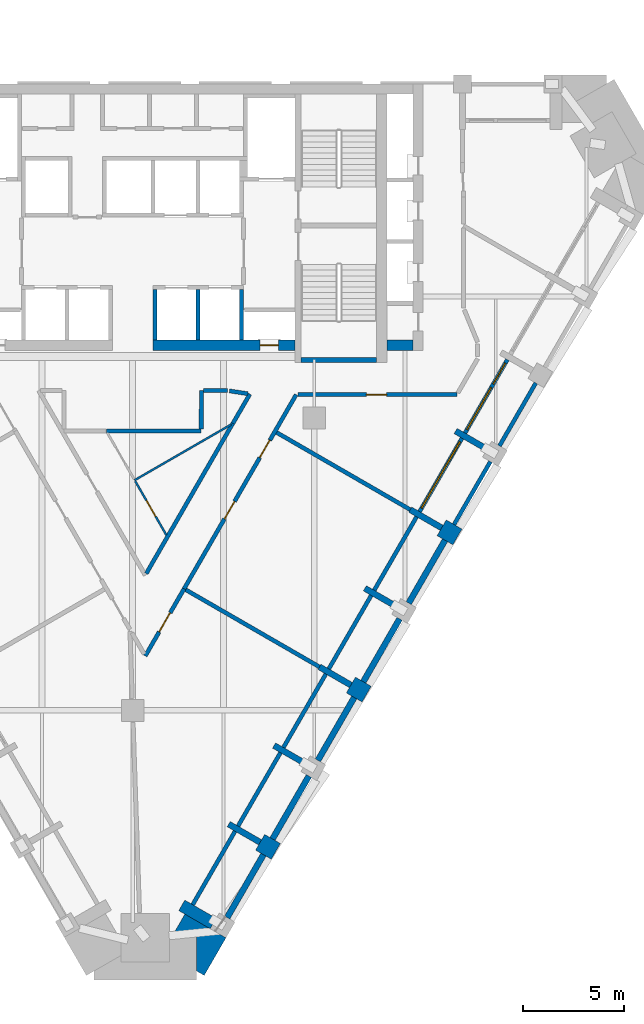
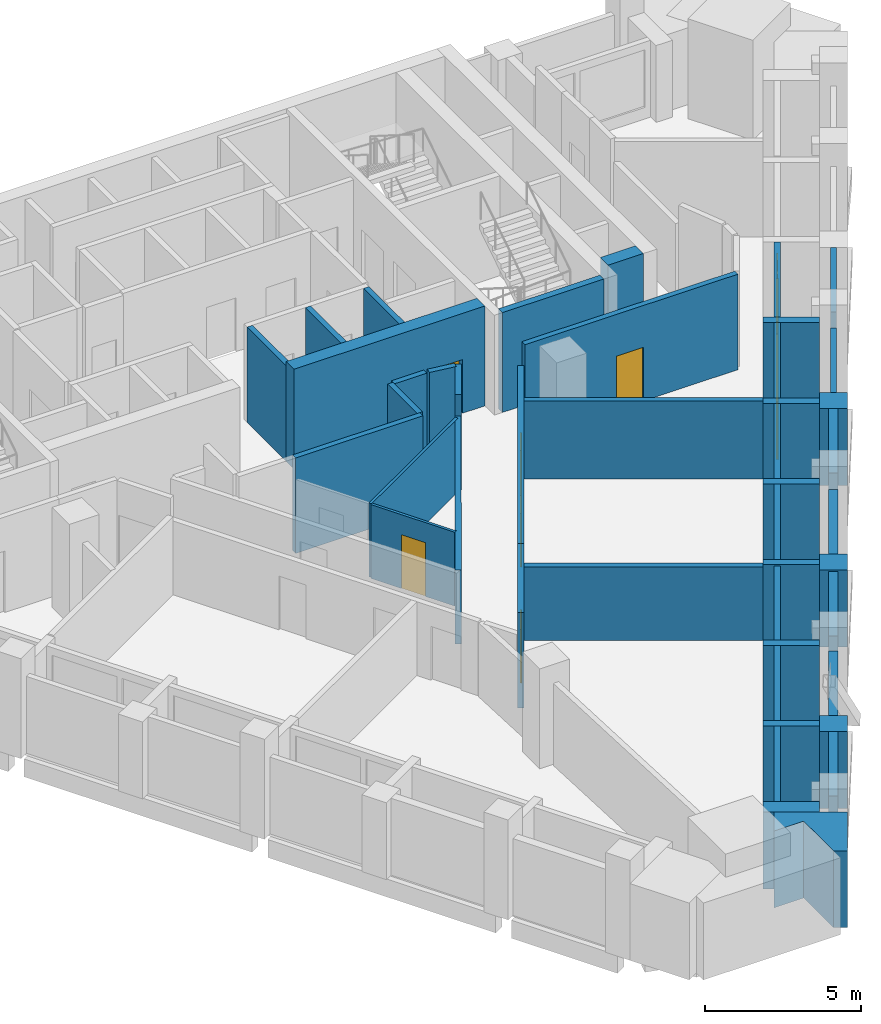
# One storey, part 4 of 9: 44 walls, 7 doors, 2 windows, 9 openings.
"""IFC4 building model written with IfcOpenShell, lengths in metres."""

import ifcopenshell
import ifcopenshell.guid

model = None  # the IFC model being written
_history = None  # IfcOwnerHistory: only IFC2X3 demands one
_inside = {}  # id of a spatial element -> (the spatial element, [elements in it])
_under = {}  # id of a project, library or spatial element -> (it, [spatial elements below it])
_declared = {}  # id of a project -> (the project, [libraries it declares])
_typed = {}  # id of a type object -> (the type object, [elements of that type])
_made_of = {}  # id of a material, layer set ... -> (it, [elements and type objects made of it])


def new_model(schema):
    """Start an empty IFC model of exactly this schema.

    Asked for "IFC4X3", IfcOpenShell would pick the latest addendum, in which some entities
    have other attributes; the version numbers below select the first issue.
    IFC2X3 requires an IfcOwnerHistory on every rooted entity: one is made here for all.
    """
    global model, _history
    if schema == "IFC4X3":
        model = ifcopenshell.file(schema_version=(4, 3, 0, 0))
    else:
        model = ifcopenshell.file(schema=schema)
    _inside.clear()
    _under.clear()
    _declared.clear()
    _typed.clear()
    _made_of.clear()
    _history = None
    if model.schema == "IFC2X3":
        org = make("IfcOrganization", Name="unknown")
        user = make(
            "IfcPersonAndOrganization",
            ThePerson=make("IfcPerson", FamilyName="unknown"),
            TheOrganization=org,
        )
        app = make(
            "IfcApplication",
            ApplicationDeveloper=org,
            Version="unknown",
            ApplicationFullName="unknown",
            ApplicationIdentifier="unknown",
        )
        _history = make(
            "IfcOwnerHistory",
            OwningUser=user,
            OwningApplication=app,
            ChangeAction="ADDED",
            CreationDate=0,
        )
    return model


def make(cls, **values):
    """One entity of the class cls with the attributes given. An attribute that is None is left unset."""
    return model.create_entity(
        cls, **{name: value for name, value in values.items() if value is not None}
    )


def rooted(cls, **values):
    """An entity with a GlobalId (a new one), such as an element, a storey or a relation."""
    return make(cls, GlobalId=ifcopenshell.guid.new(), OwnerHistory=_history, **values)


def si_unit(unit_type, name, prefix=None):
    """IfcSIUnit, for example si_unit("LENGTHUNIT", "METRE", prefix="MILLI")."""
    return make("IfcSIUnit", UnitType=unit_type, Prefix=prefix, Name=name)


def assignment(units):
    """IfcUnitAssignment: the units of a project."""
    return None if units is None else make("IfcUnitAssignment", Units=units)


def point(xyz):
    """IfcCartesianPoint."""
    return None if xyz is None else make("IfcCartesianPoint", Coordinates=xyz)


def direction(xyz):
    """IfcDirection."""
    return None if xyz is None else make("IfcDirection", DirectionRatios=xyz)


def frame(location, z_axis=None, x_axis=None):
    """IfcAxis2Placement3D, a coordinate frame: its origin and axes. An axis left out is left unset."""
    return make(
        "IfcAxis2Placement3D",
        Location=point(location),
        Axis=direction(z_axis),
        RefDirection=direction(x_axis),
    )


def frame_2d(location, x_axis=None):
    """IfcAxis2Placement2D, a coordinate frame in the plane: its origin and x axis."""
    return make(
        "IfcAxis2Placement2D", Location=point(location), RefDirection=direction(x_axis)
    )


def origin():
    """The frame at (0, 0, 0) with its axes left unset."""
    return frame((0.0, 0.0, 0.0))


def place(relative_to, where):
    """IfcLocalPlacement: puts the frame where relative to a parent placement (None: the world)."""
    return make(
        "IfcLocalPlacement", PlacementRelTo=relative_to, RelativePlacement=where
    )


def context(
    kind, dimensions, precision=None, world=None, true_north=None, identifier=None
):
    """IfcGeometricRepresentationContext, for example the 3D "Model" context."""
    return make(
        "IfcGeometricRepresentationContext",
        ContextIdentifier=identifier,
        ContextType=kind,
        CoordinateSpaceDimension=dimensions,
        Precision=precision,
        WorldCoordinateSystem=world,
        TrueNorth=true_north,
    )


def subcontext(parent, identifier, kind, view, scale=None):
    """IfcGeometricRepresentationSubContext, for example "Body" below "Model"."""
    return make(
        "IfcGeometricRepresentationSubContext",
        ContextIdentifier=identifier,
        ContextType=kind,
        ParentContext=parent,
        TargetScale=scale,
        TargetView=view,
    )


def project(units=None, contexts=None):
    """IfcProject with its units and contexts."""
    return rooted(
        "IfcProject",
        Name="project",
        RepresentationContexts=contexts,
        UnitsInContext=assignment(units),
    )


def spatial(cls, under=None, at=None, **own):
    """A site, building, storey or space (cls), placed at a placement, below another one or the project."""
    s = rooted(cls, ObjectPlacement=at, **own)
    if under is not None:
        _under.setdefault(under.id(), (under, []))[1].append(s)
    return s


def polyline(points):
    """IfcPolyline through the points."""
    return make("IfcPolyline", Points=[point(p) for p in points])


def profile(cls, at=None, kind="AREA", **sizes):
    """A parametric profile (cls). Its sizes go by their IFC names, for example OverallWidth=200.0."""
    return make(cls, ProfileType=kind, Position=at, **sizes)


def rectangle(**sizes):
    """IfcRectangleProfileDef."""
    return profile("IfcRectangleProfileDef", **sizes)


def outline(outer, holes=None, kind="AREA"):
    """IfcArbitraryClosedProfileDef: a profile drawn as a closed curve; with holes, ...WithVoids."""
    if holes is None:
        return make("IfcArbitraryClosedProfileDef", ProfileType=kind, OuterCurve=outer)
    return make(
        "IfcArbitraryProfileDefWithVoids",
        ProfileType=kind,
        OuterCurve=outer,
        InnerCurves=holes,
    )


def extrude(swept, where, along, depth):
    """IfcExtrudedAreaSolid: the profile swept, set in the frame where, extruded along a direction by depth."""
    return make(
        "IfcExtrudedAreaSolid",
        SweptArea=swept,
        Position=where,
        ExtrudedDirection=direction(along),
        Depth=depth,
    )


def shape(context_of_items, identifier, shape_type, items):
    """IfcShapeRepresentation: the items that make up one representation, for example the "Body"."""
    return make(
        "IfcShapeRepresentation",
        ContextOfItems=context_of_items,
        RepresentationIdentifier=identifier,
        RepresentationType=shape_type,
        Items=items,
    )


def material(Name=None, Category=None):
    """IfcMaterial."""
    return make("IfcMaterial", Name=Name, Category=Category)


def layer(
    of_material, thickness, ventilated=None, Name=None, Category=None, Priority=None
):
    """IfcMaterialLayer: one layer of a wall or slab, of a material (None: an air gap)."""
    return make(
        "IfcMaterialLayer",
        Material=of_material,
        LayerThickness=thickness,
        IsVentilated=ventilated,
        Name=Name,
        Category=Category,
        Priority=Priority,
    )


def layer_set(layers, Name=None):
    """IfcMaterialLayerSet."""
    return make("IfcMaterialLayerSet", MaterialLayers=layers, LayerSetName=Name)


def made_of(thing, what):
    """Note that an element or type object is made of a material, layer set ...; save() writes the relation."""
    if what is not None:
        _made_of.setdefault(what.id(), (what, []))[1].append(thing)
    return thing


def type_object(cls, material=None, **own):
    """A type object (cls), such as IfcWallType, which elements share."""
    return made_of(rooted(cls, **own), material)


def element(
    cls,
    number,
    at=None,
    inside=None,
    cuts=None,
    type_object=None,
    material=None,
    context=None,
    identifier="Body",
    shape_type=None,
    held_by="IfcProductDefinitionShape",
    body=None,
    shapes=None,
    **own,
):
    """One element of the class cls, such as IfcWall. Its Tag is "e" and its number.

    at: its placement. inside: the storey or other place that contains it. cuts: it is an
    opening in that element (IfcRelVoidsElement). A single representation is given by context,
    identifier, shape_type and body (its items); several are given by shapes. held_by: the class
    of the entity that holds the representations. save() writes the other relations.
    """
    e = rooted(cls, Tag="e%d" % number, ObjectPlacement=at, **own)
    if body is not None:
        shapes = [shape(context, identifier, shape_type, body)]
    if shapes is not None:
        e.Representation = make(held_by, Representations=shapes)
    if inside is not None:
        _inside.setdefault(inside.id(), (inside, []))[1].append(e)
    if cuts is not None:
        rooted(
            "IfcRelVoidsElement", RelatingBuildingElement=cuts, RelatedOpeningElement=e
        )
    if type_object is not None:
        _typed.setdefault(type_object.id(), (type_object, []))[1].append(e)
    return made_of(e, material)


def fill(opening, filler):
    """IfcRelFillsElement: the door or window that sits in an opening."""
    return rooted(
        "IfcRelFillsElement",
        RelatingOpeningElement=opening,
        RelatedBuildingElement=filler,
    )


def aggregate(whole, parts):
    """IfcRelAggregates: a whole, such as a stair, and the parts it consists of."""
    return rooted("IfcRelAggregates", RelatingObject=whole, RelatedObjects=parts)


def save(model, path):
    """Write the relations noted so far, then the file.

    IfcRelAggregates (storeys below a building ...), IfcRelContainedInSpatialStructure (elements
    in a storey), IfcRelDefinesByType, IfcRelAssociatesMaterial and IfcRelDeclares: one each for
    every whole, place, type object, material and project.
    """
    for whole, parts in _under.values():
        aggregate(whole, parts)
    for where, things in _inside.values():
        rooted(
            "IfcRelContainedInSpatialStructure",
            RelatedElements=things,
            RelatingStructure=where,
        )
    for kind, things in _typed.values():
        rooted("IfcRelDefinesByType", RelatedObjects=things, RelatingType=kind)
    for what, things in _made_of.values():
        rooted("IfcRelAssociatesMaterial", RelatedObjects=things, RelatingMaterial=what)
    for by, libraries in _declared.values():
        rooted("IfcRelDeclares", RelatingContext=by, RelatedDefinitions=libraries)
    model.write(path)


model = new_model("IFC4")

# Units and contexts
model_context = context("Model", 3, precision=1e-05, world=origin(), true_north=direction((0.0, 1.0)))
body_context = subcontext(model_context, "Body", "Model", "MODEL_VIEW")
ifc_project = project(units=[si_unit("LENGTHUNIT", "METRE"), si_unit("AREAUNIT", "SQUARE_METRE"), si_unit("VOLUMEUNIT", "CUBIC_METRE"), si_unit("PLANEANGLEUNIT", "RADIAN"), si_unit("MASSUNIT", "GRAM", prefix="KILO")], contexts=[model_context])

# Site, building, storey
site_placement = place(None, origin())
site = spatial("IfcSite", under=ifc_project, at=site_placement, CompositionType="ELEMENT")
building_placement = place(site_placement, origin())
building = spatial("IfcBuilding", under=site, at=building_placement, Name="Calabash Gate Tower", CompositionType="ELEMENT")
storey_placement = place(building_placement, frame((0.0, 0.0, 227.60009765625)))
storey = spatial("IfcBuildingStorey", under=building, at=storey_placement, Name="L54", CompositionType="ELEMENT", Elevation=227.60009765625)

# Walls
ifc_material_1 = material(Name="Terracotta brick masonry, exposed face", Category="masonry")
ifc_layer_1 = layer(ifc_material_1, 2.35009765625)
ifc_layer_set_1 = layer_set([ifc_layer_1], Name="Brick corner mass wall 2350")
wall_type_1 = type_object("IfcWallType", Name="Brick corner mass wall 2350", PredefinedType="SOLIDWALL", material=ifc_layer_set_1)
wall_1_placement = place(storey_placement, origin())
element("IfcWall", 1, at=wall_1_placement, inside=storey, type_object=wall_type_1, Name="Brick corner pier S15 2c", PredefinedType="SOLIDWALL", context=body_context, shape_type="SweptSolid", body=[
    extrude(outline(polyline([(4.623779296875, -23.275634765625), (2.5888671875, -22.100830078125), (2.06103515625, -23.01513671875), (3.157958984375, -23.01513671875), (3.157958984375, -24.915283203125), (3.547607421875, -25.14013671875), (4.623779296875, -23.275634765625)])), origin(), (0.0, 0.0, 1.0), 3.0),
])
ifc_material_2 = material(Name="Terracotta brick masonry, exposed face", Category="masonry")
ifc_layer_2 = layer(ifc_material_2, 0.89990234375)
ifc_layer_set_2 = layer_set([ifc_layer_2], Name="Brick end wall 900")
wall_type_2 = type_object("IfcWallType", Name="Brick end wall 900", PredefinedType="SOLIDWALL", material=ifc_layer_set_2)
for number, where, z_axis, x_axis, name in (
    (2, (6.484375, -19.15380859375, 0.0), (0.0, 0.0, 1.0), (0.499902469156, 0.866081705922, 0.0), "Brick pier S15 SE2.1"),
    (3, (11.434326171875, -10.580078125, 0.0), (0.0, 0.0, 1.0), (-0.499902469156, -0.866081705922, 0.0), "Brick pier S15 SE2.3"),
    (4, (16.09912109375, -3.400634765625, 0.0), (0.0, 0.0, 1.0), (-0.865964261186, 0.500105887137, 0.0), "Brick pier S15 SE2.5"),
):
    element("IfcWall", number, at=place(storey_placement, frame(where, z_axis=z_axis, x_axis=x_axis)), inside=storey, type_object=wall_type_2, Name=name, PredefinedType="SOLIDWALL", context=body_context, shape_type="SweptSolid", body=[
        extrude(rectangle(XDim=0.900146484375, YDim=0.89990234375, at=frame_2d((0.4501953125, 0.0))), origin(), (0.0, 0.0, 1.0), 3.0),
    ])
ifc_material_3 = material(Name="Terracotta brick masonry, exposed face", Category="masonry")
ifc_layer_3 = layer(ifc_material_3, 0.300048828125)
ifc_layer_set_3 = layer_set([ifc_layer_3], Name="Brick infill panel wall 300")
wall_type_3 = type_object("IfcWallType", Name="Brick infill panel wall 300", PredefinedType="SOLIDWALL", material=ifc_layer_set_3)
for number, where, z_axis, x_axis, name in (
    (5, (4.684326171875, -22.271484375, 0.0), (0.0, 0.0, 1.0), (0.500012057535, 0.866018442252, 0.0), "Brick panel S15 SE2.1"),
    (6, (6.934326171875, -18.374267578125, 0.0), (0.0, 0.0, 1.0), (0.500012057535, 0.866018442252, 0.0), "Brick panel S15 SE2.2"),
):
    element("IfcWall", number, at=place(storey_placement, frame(where, z_axis=z_axis, x_axis=x_axis)), inside=storey, type_object=wall_type_3, Name=name, PredefinedType="SOLIDWALL", context=body_context, shape_type="SweptSolid", body=[
        extrude(rectangle(XDim=3.60009765625, YDim=0.300048828125, at=frame_2d((1.800048828125, 0.0))), origin(), (0.0, 0.0, 1.0), 3.0),
    ])
wall_2_placement = place(storey_placement, frame((9.184326171875, -14.477294921875, 0.0), z_axis=(0.0, 0.0, 1.0), x_axis=(0.500012057535, 0.866018442252, 0.0)))
element("IfcWall", 7, at=wall_2_placement, inside=storey, type_object=wall_type_3, Name="Brick panel S15 SE2.3", PredefinedType="SOLIDWALL", context=body_context, shape_type="SweptSolid", body=[
    extrude(rectangle(XDim=3.60009765625, YDim=0.300048828125, at=frame_2d((1.800048828125, 0.0))), origin(), (0.0, 0.0, 1.0), 2.949951171875),
])
wall_3_placement = place(storey_placement, frame((11.434326171875, -10.580078125, 0.0), z_axis=(0.0, 0.0, 1.0), x_axis=(0.499990559667, 0.866030854095, 0.0)))
element("IfcWall", 8, at=wall_3_placement, inside=storey, type_object=wall_type_3, Name="Brick panel S15 SE2.4", PredefinedType="SOLIDWALL", context=body_context, shape_type="SweptSolid", body=[
    extrude(rectangle(XDim=3.599609375, YDim=0.300048828125, at=frame_2d((1.7998046875, 0.0))), origin(), (0.0, 0.0, 1.0), 3.0),
])
wall_4_placement = place(storey_placement, frame((13.684326171875, -6.682861328125, 0.0), z_axis=(0.0, 0.0, 1.0), x_axis=(0.500012057535, 0.866018442252, 0.0)))
element("IfcWall", 9, at=wall_4_placement, inside=storey, type_object=wall_type_3, Name="Brick panel S15 SE2.5", PredefinedType="SOLIDWALL", context=body_context, shape_type="SweptSolid", body=[
    extrude(rectangle(XDim=3.60009765625, YDim=0.300048828125, at=frame_2d((1.800048828125, 0.0))), origin(), (0.0, 0.0, 1.0), 3.0),
])
ifc_material_4 = material(Name="Terracotta brick masonry, exposed face", Category="masonry")
ifc_layer_4 = layer(ifc_material_4, 0.300048828125)
ifc_layer_set_4 = layer_set([ifc_layer_4], Name="Brick loggia cheek wall 300")
wall_type_4 = type_object("IfcWallType", Name="Brick loggia cheek wall 300", PredefinedType="SOLIDWALL", material=ifc_layer_set_4)
wall_5_placement = place(storey_placement, frame((2.435791015625, -21.666015625, 0.0), z_axis=(0.0, 0.0, 1.0), x_axis=(0.866013897511, -0.50001992892, 0.0)))
element("IfcWall", 10, at=wall_5_placement, inside=storey, type_object=wall_type_4, Name="Loggia cheek S15 SE2.0", PredefinedType="SOLIDWALL", context=body_context, shape_type="SweptSolid", body=[
    extrude(rectangle(XDim=1.7998046875, YDim=0.60009765625, at=frame_2d((0.89990234375, 0.0))), origin(), (0.0, 0.0, 1.0), 3.0),
])
wall_6_placement = place(storey_placement, frame((6.319580078125, -18.5390625, 0.0), z_axis=(0.0, 0.0, 1.0), x_axis=(-0.865989075817, 0.500062916607, 0.0)))
element("IfcWall", 11, at=wall_6_placement, inside=storey, type_object=wall_type_4, Name="Loggia cheek S15 SE2.1", PredefinedType="SOLIDWALL", context=body_context, shape_type="SweptSolid", body=[
    extrude(rectangle(XDim=1.800048828125, YDim=0.300048828125, at=frame_2d((0.89990234375, 0.0))), origin(), (0.0, 0.0, 1.0), 3.0),
])
wall_7_placement = place(storey_placement, frame((8.5693359375, -14.641845703125, 0.0), z_axis=(0.0, 0.0, 1.0), x_axis=(-0.866013897511, 0.50001992892, 0.0)))
element("IfcWall", 12, at=wall_7_placement, inside=storey, type_object=wall_type_4, Name="Loggia cheek S15 SE2.2", PredefinedType="SOLIDWALL", context=body_context, shape_type="SweptSolid", body=[
    extrude(rectangle(XDim=1.7998046875, YDim=0.300048828125, at=frame_2d((0.89990234375, 0.0))), origin(), (0.0, 0.0, 1.0), 3.0),
])
for number, where, z_axis, x_axis, name in (
    (13, (10.819580078125, -10.744873046875, 0.0), (0.0, 0.0, 1.0), (-0.865989075817, 0.500062916607, 0.0), "Loggia cheek S15 SE2.3"),
    (14, (13.069580078125, -6.84765625, 0.0), (0.0, 0.0, 1.0), (-0.866047807691, 0.499961193289, 0.0), "Loggia cheek S15 SE2.4"),
    (15, (15.319580078125, -2.950439453125, 0.0), (0.0, 0.0, 1.0), (-0.866047807691, 0.499961193289, 0.0), "Loggia cheek S15 SE2.5"),
):
    element("IfcWall", number, at=place(storey_placement, frame(where, z_axis=z_axis, x_axis=x_axis)), inside=storey, type_object=wall_type_4, Name=name, PredefinedType="SOLIDWALL", context=body_context, shape_type="SweptSolid", body=[
        extrude(rectangle(XDim=1.800048828125, YDim=0.300048828125, at=frame_2d((0.89990234375, 0.0))), origin(), (0.0, 0.0, 1.0), 3.0),
    ])
wall_8_placement = place(storey_placement, frame((17.569091796875, 0.94677734375, 0.0), z_axis=(0.0, 0.0, 1.0), x_axis=(-0.865979975379, 0.500078676053, 0.0)))
element("IfcWall", 16, at=wall_8_placement, inside=storey, type_object=wall_type_4, Name="Loggia cheek S15 SE2.6", PredefinedType="SOLIDWALL", context=body_context, shape_type="SweptSolid", body=[
    extrude(rectangle(XDim=1.799560546875, YDim=0.300048828125, at=frame_2d((0.89990234375, 0.0))), origin(), (0.0, 0.0, 1.0), 3.0),
])
ifc_material_5 = material(Name="Concrete C70/85", Category="concrete")
ifc_layer_5 = layer(ifc_material_5, 0.25)
ifc_layer_set_5 = layer_set([ifc_layer_5], Name="Core wall 250 Concrete C70/85")
wall_type_5 = type_object("IfcWallType", Name="Core wall 250 Concrete C70/85", PredefinedType="SHEAR", material=ifc_layer_set_5)
wall_9_placement = place(storey_placement, frame((8.35009765625, 5.377685546875, 0.0), z_axis=(0.0, 0.0, 1.0), x_axis=(1.0, 0.0, 0.0)))
element("IfcWall", 17, at=wall_9_placement, inside=storey, type_object=wall_type_5, Name="Core wall Z4-SSE L54", PredefinedType="SHEAR", context=body_context, shape_type="SweptSolid", body=[
    extrude(rectangle(XDim=3.75, YDim=0.25, at=frame_2d((1.875, 0.0))), origin(), (0.0, 0.0, 1.0), 3.89990234375),
])

# Wall, opening, door
ifc_material_6 = material(Name="Concrete C70/85", Category="concrete")
ifc_layer_6 = layer(ifc_material_6, 0.5)
ifc_layer_set_6 = layer_set([ifc_layer_6], Name="Core wall 500 Concrete C70/85")
wall_type_6 = type_object("IfcWallType", Name="Core wall 500 Concrete C70/85", PredefinedType="SHEAR", material=ifc_layer_set_6)
wall_10_placement = place(storey_placement, frame((1.0, 6.1025390625, 0.0), z_axis=(0.0, 0.0, 1.0), x_axis=(1.0, 0.0, 0.0)))
wall_10 = element("IfcWall", 18, at=wall_10_placement, inside=storey, type_object=wall_type_6, Name="Core wall Z4-SB L54", PredefinedType="SHEAR", context=body_context, shape_type="SweptSolid", body=[
    extrude(rectangle(XDim=7.050048828125, YDim=0.5, at=frame_2d((3.52490234375, 0.0))), origin(), (0.0, 0.0, 1.0), 3.89990234375),
])
opening_1_placement = place(wall_10_placement, frame((5.324951171875, 0.0, 0.0)))
opening_1 = element("IfcOpeningElement", 19, at=opening_1_placement, cuts=wall_10, Name="Opening O7-016", PredefinedType="OPENING", context=body_context, shape_type="SweptSolid", body=[
    extrude(rectangle(XDim=0.89990234375, YDim=2.10009765625, at=frame_2d((0.449951171875, 1.050048828125))), frame((0.0, 0.260009765625, 0.0), z_axis=(0.0, -1.0, 0.0), x_axis=(1.0, 0.0, 0.0)), (0.0, 0.0, 1.0), 0.52001953125),
])
ifc_material_7 = material(Name="Steel fire door set with fire-resisting glazing", Category="steel")
door_type_1 = type_object("IfcDoorType", Name="Fire door D07 900x2100 FD90", OperationType="NOTDEFINED", PredefinedType="DOOR", material=ifc_material_7)
door_1_placement = place(opening_1_placement, origin())
door_1 = element("IfcDoor", 20, at=door_1_placement, inside=storey, type_object=door_type_1, Name="Mechanical Riser E door", OperationType="SINGLE_SWING_RIGHT", OverallHeight=2.10009765625, OverallWidth=0.89990234375, PredefinedType="DOOR", context=body_context, shape_type="SweptSolid", body=[
    extrude(rectangle(XDim=0.89990234375, YDim=2.10009765625, at=frame_2d((0.449951171875, 1.050048828125))), frame((0.0, 0.02490234375, 0.0), z_axis=(0.0, -1.0, 0.0), x_axis=(1.0, 0.0, 0.0)), (0.0, 0.0, 1.0), 0.050048828125),
])
fill(opening_1, door_1)

# Wall
wall_11_placement = place(storey_placement, frame((12.60009765625, 6.1025390625, 0.0), z_axis=(0.0, 0.0, 1.0), x_axis=(1.0, 0.0, 0.0)))
element("IfcWall", 21, at=wall_11_placement, inside=storey, type_object=wall_type_6, Name="Core wall Z4-SE L54", PredefinedType="SHEAR", context=body_context, shape_type="SweptSolid", body=[
    extrude(rectangle(XDim=1.2998046875, YDim=0.5, at=frame_2d((0.64990234375, 0.0))), origin(), (0.0, 0.0, 1.0), 3.89990234375),
])

# Wall, opening, door
ifc_material_8 = material(Name="Gypsum board on steel studs, mineral wool", Category="steel")
ifc_layer_7 = layer(ifc_material_8, 0.10009765625)
ifc_layer_set_7 = layer_set([ifc_layer_7], Name="Partition 100 gypsum board")
wall_type_7 = type_object("IfcWallType", Name="Partition 100 gypsum board", PredefinedType="PARTITIONING", material=ifc_layer_set_7)
wall_12_placement = place(storey_placement, frame((0.1240234375, -0.631103515625, 0.0), z_axis=(0.0, 0.0, 1.0), x_axis=(0.500479866737, -0.865748175274, 0.0)))
wall_12 = element("IfcWall", 22, at=wall_12_placement, inside=storey, type_object=wall_type_7, Name="Partition", PredefinedType="PARTITIONING", context=body_context, shape_type="SweptSolid", body=[
    extrude(rectangle(XDim=3.0966796875, YDim=0.10009765625, at=frame_2d((1.54833984375, 0.0))), origin(), (0.0, 0.0, 1.0), 2.884033203125),
])
opening_2_placement = place(wall_12_placement, frame((1.123779296875, 0.0, 0.0)))
opening_2 = element("IfcOpeningElement", 23, at=opening_2_placement, cuts=wall_12, Name="Opening 52-54-015", PredefinedType="OPENING", context=body_context, shape_type="SweptSolid", body=[
    extrude(rectangle(XDim=0.89990234375, YDim=2.10009765625, at=frame_2d((0.449951171875, 1.050048828125))), frame((0.0, 0.06005859375, 0.0), z_axis=(0.0, -1.0, 0.0), x_axis=(1.0, 0.0, 0.0)), (0.0, 0.0, 1.0), 0.1201171875),
])
ifc_material_9 = material(Name="Painted timber door", Category="wood")
door_type_2 = type_object("IfcDoorType", Name="WD1 WC door 900x2100", OperationType="NOTDEFINED", PredefinedType="DOOR", material=ifc_material_9)
door_2_placement = place(opening_2_placement, origin())
door_2 = element("IfcDoor", 24, at=door_2_placement, inside=storey, type_object=door_type_2, Name="WC door", OperationType="SINGLE_SWING_RIGHT", OverallHeight=2.10009765625, OverallWidth=0.89990234375, PredefinedType="DOOR", context=body_context, shape_type="SweptSolid", body=[
    extrude(rectangle(XDim=0.89990234375, YDim=2.10009765625, at=frame_2d((0.449951171875, 1.050048828125))), frame((0.0, 0.02490234375, 0.0), z_axis=(0.0, -1.0, 0.0), x_axis=(1.0, 0.0, 0.0)), (0.0, 0.0, 1.0), 0.050048828125),
])
fill(opening_2, door_2)

# Walls
wall_13_placement = place(storey_placement, frame((0.09912109375, -0.587646484375, 0.0), z_axis=(0.0, 0.0, 1.0), x_axis=(0.866176017048, 0.49973903939, 0.0)))
element("IfcWall", 25, at=wall_13_placement, inside=storey, type_object=wall_type_7, Name="Partition", PredefinedType="PARTITIONING", context=body_context, shape_type="SweptSolid", body=[
    extrude(rectangle(XDim=5.52197265625, YDim=0.10009765625, at=frame_2d((2.760986328125, 0.0))), origin(), (0.0, 0.0, 1.0), 2.884033203125),
])
ifc_material_10 = material(Name="Gypsum board on steel studs, mineral wool", Category="steel")
ifc_layer_8 = layer(ifc_material_10, 0.199951171875)
ifc_layer_set_8 = layer_set([ifc_layer_8], Name="Partition 200 gypsum board EI 60")
wall_type_8 = type_object("IfcWallType", Name="Partition 200 gypsum board EI 60", PredefinedType="PARTITIONING", material=ifc_layer_set_8)
wall_14_placement = place(storey_placement, frame((2.635009765625, -6.021728515625, 0.0), z_axis=(0.0, 0.0, 1.0), x_axis=(0.866123944565, -0.499829283508, 0.0)))
element("IfcWall", 26, at=wall_14_placement, inside=storey, type_object=wall_type_8, Name="Partition", PredefinedType="PARTITIONING", context=body_context, shape_type="SweptSolid", body=[
    extrude(rectangle(XDim=7.649658203125, YDim=0.199951171875, at=frame_2d((3.82470703125, 0.0))), origin(), (0.0, 0.0, 1.0), 2.884033203125),
])

# Wall, opening, door
wall_15_placement = place(storey_placement, frame((0.626220703125, -9.30126953125, 0.0), z_axis=(0.0, 0.0, 1.0), x_axis=(0.500330475361, 0.865834519655, 0.0)))
wall_15 = element("IfcWall", 27, at=wall_15_placement, inside=storey, type_object=wall_type_8, Name="Partition", PredefinedType="PARTITIONING", context=body_context, shape_type="SweptSolid", body=[
    extrude(rectangle(XDim=3.84619140625, YDim=0.199951171875, at=frame_2d((1.923095703125, 0.0))), origin(), (0.0, 0.0, 1.0), 3.72998046875),
])
opening_3_placement = place(wall_15_placement, frame((1.373046875, 0.0, 0.0)))
opening_3 = element("IfcOpeningElement", 28, at=opening_3_placement, cuts=wall_15, Name="Opening 52-54-011", PredefinedType="OPENING", context=body_context, shape_type="SweptSolid", body=[
    extrude(rectangle(XDim=1.10009765625, YDim=2.10009765625, at=frame_2d((0.550048828125, 1.050048828125))), frame((0.0, 0.10986328125, 0.0), z_axis=(0.0, -1.0, 0.0), x_axis=(1.0, 0.0, 0.0)), (0.0, 0.0, 1.0), 0.219970703125),
])
ifc_material_11 = material(Name="Steel fire door set with fire-resisting glazing", Category="steel")
door_type_3 = type_object("IfcDoorType", Name="GD3 Suite entrance door 1100x2100", OperationType="NOTDEFINED", PredefinedType="DOOR", material=ifc_material_11)
door_3_placement = place(opening_3_placement, origin())
door_3 = element("IfcDoor", 29, at=door_3_placement, inside=storey, type_object=door_type_3, Name="Suite entrance door", OperationType="SINGLE_SWING_LEFT", OverallHeight=2.10009765625, OverallWidth=1.10009765625, PredefinedType="DOOR", context=body_context, shape_type="SweptSolid", body=[
    extrude(rectangle(XDim=1.10009765625, YDim=2.10009765625, at=frame_2d((0.550048828125, 1.050048828125))), frame((0.0, 0.02490234375, 0.0), z_axis=(0.0, -1.0, 0.0), x_axis=(1.0, 0.0, 0.0)), (0.0, 0.0, 1.0), 0.050048828125),
])
fill(opening_3, door_3)

# Walls
wall_16_placement = place(storey_placement, frame((0.67578125, -5.213623046875, 0.0), z_axis=(0.0, 0.0, 1.0), x_axis=(0.499295729612, 0.866431632843, 0.0)))
element("IfcWall", 30, at=wall_16_placement, inside=storey, type_object=wall_type_8, Name="Partition", PredefinedType="PARTITIONING", context=body_context, shape_type="SweptSolid", body=[
    extrude(rectangle(XDim=8.58642578125, YDim=0.199951171875, at=frame_2d((4.293212890625, 0.0))), origin(), (0.0, 0.0, 1.0), 2.884033203125),
])
wall_17_placement = place(storey_placement, frame((7.13720703125, 1.77587890625, 0.0), z_axis=(0.0, 0.0, 1.0), x_axis=(0.865929891815, -0.500165395106, 0.0)))
element("IfcWall", 31, at=wall_17_placement, inside=storey, type_object=wall_type_8, Name="Partition", PredefinedType="PARTITIONING", context=body_context, shape_type="SweptSolid", body=[
    extrude(rectangle(XDim=7.6494140625, YDim=0.199951171875, at=frame_2d((3.82470703125, 0.0))), origin(), (0.0, 0.0, 1.0), 3.0517578125),
])
wall_18_placement = place(storey_placement, frame((-1.308837890625, 1.8505859375, 0.0), z_axis=(0.0, 0.0, 1.0), x_axis=(0.999999934138, 0.000362938743, 0.0)))
element("IfcWall", 32, at=wall_18_placement, inside=storey, type_object=wall_type_8, Name="Partition", PredefinedType="PARTITIONING", context=body_context, shape_type="SweptSolid", body=[
    extrude(rectangle(XDim=4.708740234375, YDim=0.199951171875, at=frame_2d((2.3544921875, 0.0))), origin(), (0.0, 0.0, 1.0), 3.72998046875),
])
wall_19_placement = place(storey_placement, frame((4.9677734375, 2.223388671875, 0.0), z_axis=(0.0, 0.0, 1.0), x_axis=(0.500876298319, 0.865518881239, 0.0)))
element("IfcWall", 33, at=wall_19_placement, inside=storey, type_object=wall_type_8, Name="Partition", PredefinedType="PARTITIONING", context=body_context, shape_type="SweptSolid", body=[
    extrude(rectangle(XDim=1.6845703125, YDim=0.199951171875, at=frame_2d((0.84228515625, 0.0))), origin(), (0.0, 0.0, 1.0), 3.72998046875),
])

# Wall, openings, doors
wall_20_placement = place(storey_placement, frame((2.55078125, -5.970703125, 0.0), z_axis=(0.0, 0.0, 1.0), x_axis=(0.500007765274, 0.866020920455, 0.0)))
wall_20 = element("IfcWall", 34, at=wall_20_placement, inside=storey, type_object=wall_type_8, Name="Partition", PredefinedType="PARTITIONING", context=body_context, shape_type="SweptSolid", body=[
    extrude(rectangle(XDim=11.110595703125, YDim=0.199951171875, at=frame_2d((5.55517578125, 0.0))), origin(), (0.0, 0.0, 1.0), 2.884033203125),
])
opening_4_placement = place(wall_20_placement, frame((4.0, 0.0, 0.0)))
opening_4 = element("IfcOpeningElement", 35, at=opening_4_placement, cuts=wall_20, Name="Opening 52-54-003", PredefinedType="OPENING", context=body_context, shape_type="SweptSolid", body=[
    extrude(rectangle(XDim=1.0, YDim=2.10009765625, at=frame_2d((0.5, 1.050048828125))), frame((0.0, 0.10986328125, 0.0), z_axis=(0.0, -1.0, 0.0), x_axis=(1.0, 0.0, 0.0)), (0.0, 0.0, 1.0), 0.219970703125),
])
opening_5_placement = place(wall_20_placement, frame((7.501708984375, 0.0, 0.0)))
opening_5 = element("IfcOpeningElement", 36, at=opening_5_placement, cuts=wall_20, Name="Opening 52-54-004", PredefinedType="OPENING", context=body_context, shape_type="SweptSolid", body=[
    extrude(rectangle(XDim=1.0, YDim=2.10009765625, at=frame_2d((0.5, 1.050048828125))), frame((0.0, 0.10986328125, 0.0), z_axis=(0.0, -1.0, 0.0), x_axis=(1.0, 0.0, 0.0)), (0.0, 0.0, 1.0), 0.219970703125),
])
ifc_material_12 = material(Name="Steel fire door set with fire-resisting glazing", Category="steel")
door_type_4 = type_object("IfcDoorType", Name="LD2 Meeting room door 1000x2100", OperationType="NOTDEFINED", PredefinedType="DOOR", material=ifc_material_12)
door_4_placement = place(opening_4_placement, origin())
door_4 = element("IfcDoor", 37, at=door_4_placement, inside=storey, type_object=door_type_4, Name="Meeting room door", OperationType="SINGLE_SWING_LEFT", OverallHeight=2.10009765625, OverallWidth=1.0, PredefinedType="DOOR", context=body_context, shape_type="SweptSolid", body=[
    extrude(rectangle(XDim=1.0, YDim=2.10009765625, at=frame_2d((0.5, 1.050048828125))), frame((0.0, 0.02490234375, 0.0), z_axis=(0.0, -1.0, 0.0), x_axis=(1.0, 0.0, 0.0)), (0.0, 0.0, 1.0), 0.050048828125),
])
fill(opening_4, door_4)
door_5_placement = place(opening_5_placement, origin())
door_5 = element("IfcDoor", 38, at=door_5_placement, inside=storey, type_object=door_type_4, Name="Meeting room door", OperationType="SINGLE_SWING_RIGHT", OverallHeight=2.10009765625, OverallWidth=1.0, PredefinedType="DOOR", context=body_context, shape_type="SweptSolid", body=[
    extrude(rectangle(XDim=1.0, YDim=2.10009765625, at=frame_2d((0.5, 1.050048828125))), frame((0.0, 0.02490234375, 0.0), z_axis=(0.0, -1.0, 0.0), x_axis=(1.0, 0.0, 0.0)), (0.0, 0.0, 1.0), 0.050048828125),
])
fill(opening_5, door_5)

# Wall, opening, door
wall_21_placement = place(storey_placement, frame((8.204833984375, 3.652099609375, 0.0), z_axis=(0.0, 0.0, 1.0), x_axis=(1.0, 0.0, 0.0)))
wall_21 = element("IfcWall", 39, at=wall_21_placement, inside=storey, type_object=wall_type_8, Name="Partition", PredefinedType="PARTITIONING", context=body_context, shape_type="SweptSolid", body=[
    extrude(rectangle(XDim=7.867431640625, YDim=0.199951171875, at=frame_2d((3.93359375, 0.0))), origin(), (0.0, 0.0, 1.0), 3.72998046875),
])
opening_6_placement = place(wall_21_placement, frame((3.3837890625, 0.0, 0.0)))
opening_6 = element("IfcOpeningElement", 40, at=opening_6_placement, cuts=wall_21, Name="Opening 52-54-009", PredefinedType="OPENING", context=body_context, shape_type="SweptSolid", body=[
    extrude(rectangle(XDim=1.0, YDim=2.10009765625, at=frame_2d((0.5, 1.050048828125))), frame((0.0, 0.10986328125, 0.0), z_axis=(0.0, -1.0, 0.0), x_axis=(1.0, 0.0, 0.0)), (0.0, 0.0, 1.0), 0.219970703125),
])
door_6_placement = place(opening_6_placement, origin())
door_6 = element("IfcDoor", 41, at=door_6_placement, inside=storey, type_object=door_type_4, Name="Meeting room door", OperationType="SINGLE_SWING_LEFT", OverallHeight=2.10009765625, OverallWidth=1.0, PredefinedType="DOOR", context=body_context, shape_type="SweptSolid", body=[
    extrude(rectangle(XDim=1.0, YDim=2.10009765625, at=frame_2d((0.5, 1.050048828125))), frame((0.0, 0.02490234375, 0.0), z_axis=(0.0, -1.0, 0.0), x_axis=(1.0, 0.0, 0.0)), (0.0, 0.0, 1.0), 0.050048828125),
])
fill(opening_6, door_6)

# Walls
wall_22_placement = place(storey_placement, frame((4.798828125, 3.837158203125, 0.0), z_axis=(0.0, 0.0, 1.0), x_axis=(0.988365591488, -0.152096869008, 0.0)))
element("IfcWall", 42, at=wall_22_placement, inside=storey, type_object=wall_type_8, Name="Partition", PredefinedType="PARTITIONING", context=body_context, shape_type="SweptSolid", body=[
    extrude(rectangle(XDim=0.924560546875, YDim=0.199951171875, at=frame_2d((0.46240234375, 0.0))), origin(), (0.0, 0.0, 1.0), 3.72998046875),
])
wall_23_placement = place(storey_placement, frame((3.400146484375, 1.952392578125, 0.0), z_axis=(0.0, 0.0, 1.0), x_axis=(0.001028938362, 0.999999470643, 0.0)))
element("IfcWall", 43, at=wall_23_placement, inside=storey, type_object=wall_type_8, Name="Partition", PredefinedType="PARTITIONING", context=body_context, shape_type="SweptSolid", body=[
    extrude(rectangle(XDim=1.898193359375, YDim=0.199951171875, at=frame_2d((0.94921875, 0.0))), origin(), (0.0, 0.0, 1.0), 3.72998046875),
])
wall_24_placement = place(storey_placement, frame((3.501953125, 3.8505859375, 0.0), z_axis=(0.0, 0.0, 1.0), x_axis=(0.999998982503, 0.001426532072, 0.0)))
element("IfcWall", 44, at=wall_24_placement, inside=storey, type_object=wall_type_8, Name="Partition", PredefinedType="PARTITIONING", context=body_context, shape_type="SweptSolid", body=[
    extrude(rectangle(XDim=1.197998046875, YDim=0.199951171875, at=frame_2d((0.59912109375, 0.0))), origin(), (0.0, 0.0, 1.0), 3.72998046875),
])
ifc_material_13 = material(Name="Concrete C40/50", Category="concrete")
ifc_layer_9 = layer(ifc_material_13, 0.199951171875)
ifc_layer_set_9 = layer_set([ifc_layer_9], Name="Shaft wall 200 Concrete C40/50")
wall_type_9 = type_object("IfcWallType", Name="Shaft wall 200 Concrete C40/50", PredefinedType="SOLIDWALL", material=ifc_layer_set_9)
for number, where, z_axis, x_axis, name in (
    (45, (1.10009765625, 6.3525390625, 0.0), (0.0, 0.0, 1.0), (0.0, 1.0, 0.0), "Shaft wall"),
    (46, (3.25, 6.3525390625, 0.0), (0.0, 0.0, 1.0), (0.0, 1.0, 0.0), "Shaft wall"),
    (47, (5.39990234375, 6.3525390625, 0.0), (0.0, 0.0, 1.0), (0.0, 1.0, 0.0), "Shaft wall"),
):
    element("IfcWall", number, at=place(storey_placement, frame(where, z_axis=z_axis, x_axis=x_axis)), inside=storey, type_object=wall_type_9, Name=name, PredefinedType="SOLIDWALL", context=body_context, shape_type="SweptSolid", body=[
        extrude(rectangle(XDim=2.5, YDim=0.199951171875, at=frame_2d((1.25, 0.0))), origin(), (0.0, 0.0, 1.0), 3.72998046875),
    ])
ifc_material_14 = material(Name="Terracotta brick masonry, perforated", Category="masonry")
ifc_layer_10 = layer(ifc_material_14, 0.199951171875)
ifc_layer_set_10 = layer_set([ifc_layer_10], Name="Terracotta jaali screen A")
wall_type_10 = type_object("IfcWallType", Name="Terracotta jaali screen A", PredefinedType="SOLIDWALL", material=ifc_layer_set_10)
for number, where, z_axis, x_axis, name in (
    (48, (15.934326171875, -2.785888671875, 0.0), (0.0, 0.0, 1.0), (0.500012057535, 0.866018442252, 0.0), "SCREEN A S15 SE2.6"),
    (49, (18.184326171875, 1.111328125, 0.0), (0.0, 0.0, 1.0), (0.500012057535, 0.866018442252, 0.0), "SCREEN A S15 SE2.7"),
):
    element("IfcWall", number, at=place(storey_placement, frame(where, z_axis=z_axis, x_axis=x_axis)), inside=storey, type_object=wall_type_10, Name=name, PredefinedType="SOLIDWALL", context=body_context, shape_type="SweptSolid", body=[
        extrude(rectangle(XDim=3.60009765625, YDim=0.199951171875, at=frame_2d((1.800048828125, 0.0))), origin(), (0.0, 0.0, 1.0), 3.0),
    ])
ifc_material_15 = material(Name="Aluminium framed window wall with insulated spandrel", Category="aluminium")
ifc_layer_11 = layer(ifc_material_15, 0.199951171875)
ifc_layer_set_11 = layer_set([ifc_layer_11], Name="Window wall 200")
wall_type_11 = type_object("IfcWallType", Name="Window wall 200", PredefinedType="ELEMENTEDWALL", material=ifc_layer_set_11)
wall_25_placement = place(storey_placement, frame((2.975341796875, -21.63134765625, 0.0), z_axis=(0.0, 0.0, 1.0), x_axis=(0.500002543286, 0.866023935413, 0.0)))
element("IfcWall", 50, at=wall_25_placement, inside=storey, type_object=wall_type_11, Name="Window wall S15 SE2.1", PredefinedType="ELEMENTEDWALL", context=body_context, shape_type="SweptSolid", body=[
    extrude(rectangle(XDim=4.2001953125, YDim=0.199951171875, at=frame_2d((2.10009765625, 0.0))), origin(), (0.0, 0.0, 1.0), 3.0),
])
wall_26_placement = place(storey_placement, frame((5.225341796875, -17.734130859375, 0.0), z_axis=(0.0, 0.0, 1.0), x_axis=(0.500027713859, 0.866009402589, 0.0)))
element("IfcWall", 51, at=wall_26_placement, inside=storey, type_object=wall_type_11, Name="Window wall S15 SE2.2", PredefinedType="ELEMENTEDWALL", context=body_context, shape_type="SweptSolid", body=[
    extrude(rectangle(XDim=4.199951171875, YDim=0.199951171875, at=frame_2d((2.10009765625, 0.0))), origin(), (0.0, 0.0, 1.0), 3.0),
])
wall_27_placement = place(storey_placement, frame((7.475341796875, -13.8369140625, 0.0), z_axis=(0.0, 0.0, 1.0), x_axis=(0.500027713859, 0.866009402589, 0.0)))
element("IfcWall", 52, at=wall_27_placement, inside=storey, type_object=wall_type_11, Name="Window wall S15 SE2.3", PredefinedType="ELEMENTEDWALL", context=body_context, shape_type="SweptSolid", body=[
    extrude(rectangle(XDim=4.199951171875, YDim=0.199951171875, at=frame_2d((2.10009765625, 0.0))), origin(), (0.0, 0.0, 1.0), 2.949951171875),
])
wall_28_placement = place(storey_placement, frame((9.725341796875, -9.93994140625, 0.0), z_axis=(0.0, 0.0, 1.0), x_axis=(0.500002543286, 0.866023935413, 0.0)))
element("IfcWall", 53, at=wall_28_placement, inside=storey, type_object=wall_type_11, Name="Window wall S15 SE2.4", PredefinedType="ELEMENTEDWALL", context=body_context, shape_type="SweptSolid", body=[
    extrude(rectangle(XDim=4.2001953125, YDim=0.199951171875, at=frame_2d((2.10009765625, 0.0))), origin(), (0.0, 0.0, 1.0), 3.0),
])
wall_29_placement = place(storey_placement, frame((11.975341796875, -6.042724609375, 0.0), z_axis=(0.0, 0.0, 1.0), x_axis=(0.500027713859, 0.866009402589, 0.0)))
element("IfcWall", 54, at=wall_29_placement, inside=storey, type_object=wall_type_11, Name="Window wall S15 SE2.5", PredefinedType="ELEMENTEDWALL", context=body_context, shape_type="SweptSolid", body=[
    extrude(rectangle(XDim=4.199951171875, YDim=0.199951171875, at=frame_2d((2.10009765625, 0.0))), origin(), (0.0, 0.0, 1.0), 3.0),
])

# Wall, opening, window
wall_30_placement = place(storey_placement, frame((14.225341796875, -2.145751953125, 0.0), z_axis=(0.0, 0.0, 1.0), x_axis=(0.500002543286, 0.866023935413, 0.0)))
wall_30 = element("IfcWall", 55, at=wall_30_placement, inside=storey, type_object=wall_type_11, Name="Window wall S15 SE2.6", PredefinedType="ELEMENTEDWALL", context=body_context, shape_type="SweptSolid", body=[
    extrude(rectangle(XDim=4.2001953125, YDim=0.199951171875, at=frame_2d((2.10009765625, 0.0))), origin(), (0.0, 0.0, 1.0), 3.0),
])
opening_7_placement = place(wall_30_placement, frame((0.199951171875, 0.0, 0.449951171875)))
opening_7 = element("IfcOpeningElement", 56, at=opening_7_placement, cuts=wall_30, Name="Opening OW2", PredefinedType="OPENING", context=body_context, shape_type="SweptSolid", body=[
    extrude(rectangle(XDim=3.800048828125, YDim=2.25, at=frame_2d((1.89990234375, 1.125))), frame((0.0, 0.10986328125, 0.0), z_axis=(0.0, -1.0, 0.0), x_axis=(1.0, 0.0, 0.0)), (0.0, 0.0, 1.0), 0.219970703125),
])
ifc_material_16 = material(Name="Anodised aluminium frame, bronze finish, impact-rated laminated clear glazing", Category="aluminium")
window_type_1 = type_object("IfcWindowType", Name="Window OW2 3800x2250", PartitioningType="TRIPLE_PANEL_VERTICAL", PredefinedType="WINDOW", material=ifc_material_16)
window_1_placement = place(opening_7_placement, origin())
window_1 = element("IfcWindow", 57, at=window_1_placement, inside=storey, type_object=window_type_1, Name="Window OW2 S15 SE2.6", OverallHeight=2.25, OverallWidth=3.800048828125, PartitioningType="SINGLE_PANEL", PredefinedType="WINDOW", context=body_context, shape_type="SweptSolid", body=[
    extrude(rectangle(XDim=3.800048828125, YDim=2.25, at=frame_2d((1.89990234375, 1.125))), frame((0.0, 0.030029296875, 0.0), z_axis=(0.0, -1.0, 0.0), x_axis=(1.0, 0.0, 0.0)), (0.0, 0.0, 1.0), 0.06005859375),
])
fill(opening_7, window_1)

# Wall, openings, door, window
wall_31_placement = place(storey_placement, frame((16.475341796875, 1.75146484375, 0.0), z_axis=(0.0, 0.0, 1.0), x_axis=(0.500027713859, 0.866009402589, 0.0)))
wall_31 = element("IfcWall", 58, at=wall_31_placement, inside=storey, type_object=wall_type_11, Name="Window wall S15 SE2.7", PredefinedType="ELEMENTEDWALL", context=body_context, shape_type="SweptSolid", body=[
    extrude(rectangle(XDim=4.199951171875, YDim=0.199951171875, at=frame_2d((2.10009765625, 0.0))), origin(), (0.0, 0.0, 1.0), 3.0),
])
opening_8_placement = place(wall_31_placement, frame((0.199951171875, 0.0, 0.449951171875)))
opening_8 = element("IfcOpeningElement", 59, at=opening_8_placement, cuts=wall_31, Name="Opening OW1", PredefinedType="OPENING", context=body_context, shape_type="SweptSolid", body=[
    extrude(rectangle(XDim=2.39990234375, YDim=2.25, at=frame_2d((1.199951171875, 1.125))), frame((0.0, 0.10986328125, 0.0), z_axis=(0.0, -1.0, 0.0), x_axis=(1.0, 0.0, 0.0)), (0.0, 0.0, 1.0), 0.219970703125),
])
opening_9_placement = place(wall_31_placement, frame((2.800048828125, 0.0, 0.0)))
opening_9 = element("IfcOpeningElement", 60, at=opening_9_placement, cuts=wall_31, Name="Opening O7-023", PredefinedType="OPENING", context=body_context, shape_type="SweptSolid", body=[
    extrude(rectangle(XDim=1.199951171875, YDim=2.699951171875, at=frame_2d((0.60009765625, 1.35009765625))), frame((0.0, 0.10986328125, 0.0), z_axis=(0.0, -1.0, 0.0), x_axis=(1.0, 0.0, 0.0)), (0.0, 0.0, 1.0), 0.219970703125),
])
ifc_material_17 = material(Name="Anodised aluminium frame, bronze finish, impact-rated laminated clear glazing", Category="aluminium")
door_type_5 = type_object("IfcDoorType", Name="Loggia door DO1 1200x2700", OperationType="SLIDING_TO_LEFT", PredefinedType="DOOR", material=ifc_material_17)
door_7_placement = place(opening_9_placement, origin())
door_7 = element("IfcDoor", 61, at=door_7_placement, inside=storey, type_object=door_type_5, Name="Loggia door S15 SE2.7", OperationType="SINGLE_SWING_LEFT", OverallHeight=2.699951171875, OverallWidth=1.199951171875, PredefinedType="DOOR", context=body_context, shape_type="SweptSolid", body=[
    extrude(rectangle(XDim=1.199951171875, YDim=2.699951171875, at=frame_2d((0.60009765625, 1.35009765625))), frame((0.0, 0.02490234375, 0.0), z_axis=(0.0, -1.0, 0.0), x_axis=(1.0, 0.0, 0.0)), (0.0, 0.0, 1.0), 0.050048828125),
])
fill(opening_9, door_7)
ifc_material_18 = material(Name="Anodised aluminium frame, bronze finish, impact-rated laminated clear glazing", Category="aluminium")
window_type_2 = type_object("IfcWindowType", Name="Window OW1 2400x2250", PartitioningType="DOUBLE_PANEL_VERTICAL", PredefinedType="WINDOW", material=ifc_material_18)
window_2_placement = place(opening_8_placement, origin())
window_2 = element("IfcWindow", 62, at=window_2_placement, inside=storey, type_object=window_type_2, Name="Window OW1 S15 SE2.7", OverallHeight=2.25, OverallWidth=2.39990234375, PartitioningType="SINGLE_PANEL", PredefinedType="WINDOW", context=body_context, shape_type="SweptSolid", body=[
    extrude(rectangle(XDim=2.39990234375, YDim=2.25, at=frame_2d((1.199951171875, 1.125))), frame((0.0, 0.030029296875, 0.0), z_axis=(0.0, -1.0, 0.0), x_axis=(1.0, 0.0, 0.0)), (0.0, 0.0, 1.0), 0.06005859375),
])
fill(opening_8, window_2)

save(model, "model.ifc")
